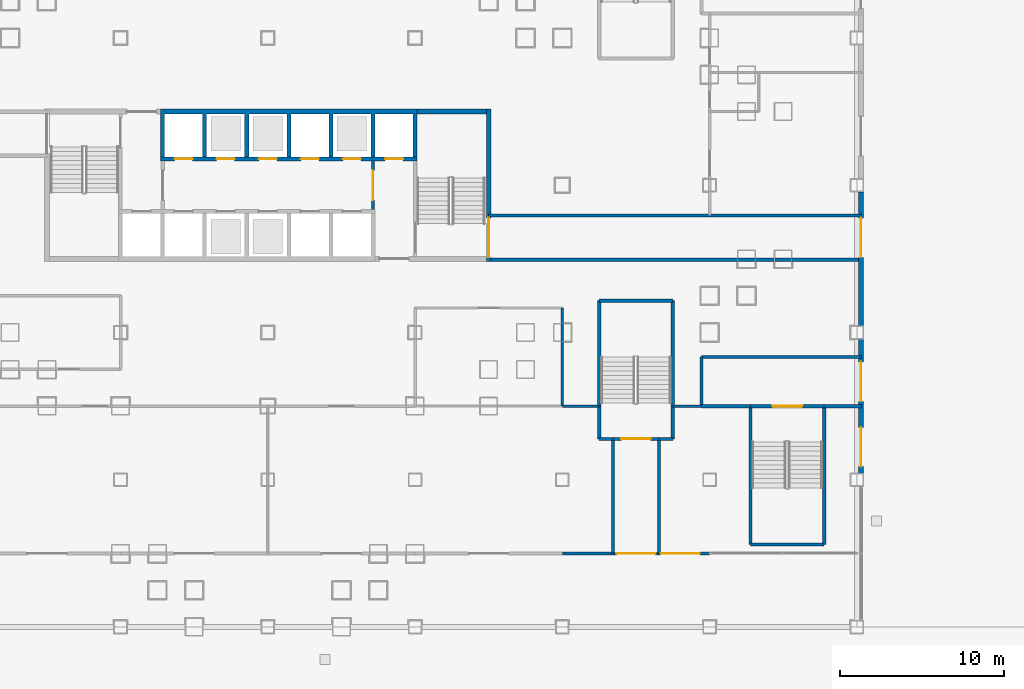
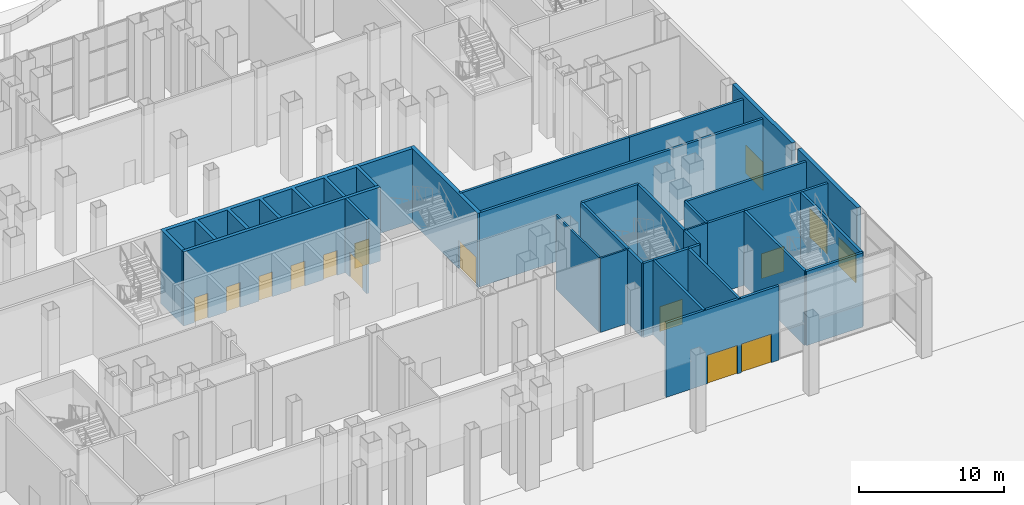
# One storey, part 15 of 38: 32 walls, 15 doors, 15 openings.
"""IFC4 building model written with IfcOpenShell, lengths in metres."""

from ifc_helpers import new_model, si_unit, direction, frame, frame_2d, origin, place, context, subcontext, project, spatial, polyline, rectangle, outline, extrude, material, layer, layer_set, type_object, element, fill, save


model = new_model("IFC4")

# Units and contexts
model_context = context("Model", 3, precision=1e-05, world=origin(), true_north=direction((0.0, 1.0)))
body_context = subcontext(model_context, "Body", "Model", "MODEL_VIEW")
ifc_project = project(units=[si_unit("LENGTHUNIT", "METRE"), si_unit("AREAUNIT", "SQUARE_METRE"), si_unit("VOLUMEUNIT", "CUBIC_METRE"), si_unit("PLANEANGLEUNIT", "RADIAN"), si_unit("MASSUNIT", "GRAM", prefix="KILO")], contexts=[model_context])

# Site, building, storey
site_placement = place(None, origin())
site = spatial("IfcSite", under=ifc_project, at=site_placement, CompositionType="ELEMENT")
building_placement = place(site_placement, origin())
building = spatial("IfcBuilding", under=site, at=building_placement, Name="Caravel Reach Hotel and Residences", CompositionType="ELEMENT")
storey_placement = place(building_placement, origin())
storey = spatial("IfcBuildingStorey", under=building, at=storey_placement, Name="L00", CompositionType="ELEMENT", Elevation=0.0)

# Walls
ifc_material_1 = material(Name="Autoclaved aerated block wall")
ifc_layer_1 = layer(ifc_material_1, 0.199951171875)
ifc_layer_set_1 = layer_set([ifc_layer_1], Name="Compartment wall 200 mm EI 120")
wall_type_1 = type_object("IfcWallType", Name="Compartment wall 200 mm EI 120", PredefinedType="PARTITIONING", material=ifc_layer_set_1)
wall_1_placement = place(storey_placement, frame((58.0, 13.5, 0.0), z_axis=(0.0, 0.0, 1.0), x_axis=(1.0, 0.0, 0.0)))
element("IfcWall", 1, at=wall_1_placement, inside=storey, type_object=wall_type_1, Name="L00 wall w046", PredefinedType="PARTITIONING", context=body_context, shape_type="SweptSolid", body=[
    extrude(rectangle(XDim=3.0, YDim=0.199951171875, at=frame_2d((1.5, 0.0))), origin(), (0.0, 0.0, 1.0), 6.25),
])
wall_2_placement = place(storey_placement, frame((65.5, 13.5, 0.0), z_axis=(0.0, 0.0, 1.0), x_axis=(1.0, 0.0, 0.0)))
element("IfcWall", 2, at=wall_2_placement, inside=storey, type_object=wall_type_1, Name="L00 wall w047", PredefinedType="PARTITIONING", context=body_context, shape_type="SweptSolid", body=[
    extrude(rectangle(XDim=2.2900390625, YDim=0.199951171875, at=frame_2d((1.14501953125, 0.0))), origin(), (0.0, 0.0, 1.0), 6.25),
])
wall_3_placement = place(storey_placement, frame((58.0, 16.5, 0.0), z_axis=(0.0, 0.0, 1.0), x_axis=(1.0, 0.0, 0.0)))
element("IfcWall", 3, at=wall_3_placement, inside=storey, type_object=wall_type_1, Name="L00 wall w048", PredefinedType="PARTITIONING", context=body_context, shape_type="SweptSolid", body=[
    extrude(rectangle(XDim=9.7900390625, YDim=0.199951171875, at=frame_2d((4.89501953125, 0.0))), origin(), (0.0, 0.0, 1.0), 6.25),
])
wall_4_placement = place(storey_placement, frame((45.0, 22.449951171875, 0.0), z_axis=(0.0, 0.0, 1.0), x_axis=(1.0, 0.0, 0.0)))
element("IfcWall", 4, at=wall_4_placement, inside=storey, type_object=wall_type_1, Name="L00 wall w049", PredefinedType="PARTITIONING", context=body_context, shape_type="SweptSolid", body=[
    extrude(rectangle(XDim=22.7900390625, YDim=0.199951171875, at=frame_2d((11.39501953125, 0.0))), origin(), (0.0, 0.0, 1.0), 6.25),
])
wall_5_placement = place(storey_placement, frame((45.0, 25.14990234375, 0.0), z_axis=(0.0, 0.0, 1.0), x_axis=(1.0, 0.0, 0.0)))
element("IfcWall", 5, at=wall_5_placement, inside=storey, type_object=wall_type_1, Name="L00 wall w050", PredefinedType="PARTITIONING", context=body_context, shape_type="SweptSolid", body=[
    extrude(rectangle(XDim=13.5, YDim=0.199951171875, at=frame_2d((6.75, 0.0))), origin(), (0.0, 0.0, 1.0), 6.25),
])
wall_6_placement = place(storey_placement, frame((58.5, 25.14990234375, 0.0), z_axis=(0.0, 0.0, 1.0), x_axis=(1.0, 0.0, 0.0)))
element("IfcWall", 6, at=wall_6_placement, inside=storey, type_object=wall_type_1, Name="L00 wall w051", PredefinedType="PARTITIONING", context=body_context, shape_type="SweptSolid", body=[
    extrude(rectangle(XDim=9.2900390625, YDim=0.199951171875, at=frame_2d((4.64501953125, 0.0))), origin(), (0.0, 0.0, 1.0), 6.25),
])
for number, where, z_axis, x_axis, name in (
    (7, (52.60009765625, 4.5, 0.0), (0.0, 0.0, 1.0), (0.0, 1.0, 0.0), "L00 wall w076"),
    (8, (55.39990234375, 4.5, 0.0), (0.0, 0.0, 1.0), (0.0, 1.0, 0.0), "L00 wall w079"),
):
    element("IfcWall", number, at=place(storey_placement, frame(where, z_axis=z_axis, x_axis=x_axis)), inside=storey, type_object=wall_type_1, Name=name, PredefinedType="PARTITIONING", context=body_context, shape_type="SweptSolid", body=[
        extrude(rectangle(XDim=7.0, YDim=0.199951171875, at=frame_2d((3.5, 0.0))), origin(), (0.0, 0.0, 1.0), 6.25),
    ])
wall_7_placement = place(storey_placement, frame((58.0, 13.5, 0.0), z_axis=(0.0, 0.0, 1.0), x_axis=(0.0, 1.0, 0.0)))
element("IfcWall", 9, at=wall_7_placement, inside=storey, type_object=wall_type_1, Name="L00 wall w081", PredefinedType="PARTITIONING", context=body_context, shape_type="SweptSolid", body=[
    extrude(rectangle(XDim=3.0, YDim=0.199951171875, at=frame_2d((1.5, 0.0))), origin(), (0.0, 0.0, 1.0), 6.25),
])
ifc_material_2 = material(Name="Concrete C60", Category="concrete")
ifc_layer_2 = layer(ifc_material_2, 0.300048828125)
ifc_layer_set_2 = layer_set([ifc_layer_2], Name="Core wall 300 mm EI 120")
wall_type_2 = type_object("IfcWallType", Name="Core wall 300 mm EI 120", PredefinedType="SHEAR", material=ifc_layer_set_2)
wall_8_placement = place(storey_placement, frame((40.625, 31.5, 0.0), z_axis=(0.0, 0.0, 1.0), x_axis=(1.0, 0.0, 0.0)))
element("IfcWall", 10, at=wall_8_placement, inside=storey, type_object=wall_type_2, Name="L00 core wall N2", PredefinedType="SHEAR", context=body_context, shape_type="SweptSolid", body=[
    extrude(rectangle(XDim=4.22509765625, YDim=0.300048828125, at=frame_2d((2.112548828125, 0.0))), origin(), (0.0, 0.0, 1.0), 6.25),
])

# Wall, opening, door
wall_9_placement = place(storey_placement, frame((45.0, 22.35009765625, 0.0), z_axis=(0.0, 0.0, 1.0), x_axis=(0.0, 1.0, 0.0)))
wall_9 = element("IfcWall", 11, at=wall_9_placement, inside=storey, type_object=wall_type_2, Name="L00 core wall E", PredefinedType="SHEAR", context=body_context, shape_type="SweptSolid", body=[
    extrude(rectangle(XDim=9.2998046875, YDim=0.300048828125, at=frame_2d((4.64990234375, 0.0))), origin(), (0.0, 0.0, 1.0), 6.25),
])
opening_1_placement = place(wall_9_placement, frame((0.25, 0.0, 0.0)))
opening_1 = element("IfcOpeningElement", 12, at=opening_1_placement, cuts=wall_9, Name="Opening D00-020", PredefinedType="OPENING", context=body_context, shape_type="SweptSolid", body=[
    extrude(rectangle(XDim=2.39990234375, YDim=2.39990234375, at=frame_2d((1.199951171875, 1.199951171875))), frame((0.0, 0.159912109375, 0.0), z_axis=(0.0, -1.0, 0.0), x_axis=(1.0, 0.0, 0.0)), (0.0, 0.0, 1.0), 0.320068359375),
])
ifc_material_3 = material(Name="Steel fire door leaf", Category="steel")
door_type_1 = type_object("IfcDoorType", Name="Exit door pair 2400 x 2400 EI 90", OperationType="DOUBLE_DOOR_SINGLE_SWING", PredefinedType="DOOR", material=ifc_material_3)
door_1_placement = place(opening_1_placement, origin())
door_1 = element("IfcDoor", 13, at=door_1_placement, inside=storey, type_object=door_type_1, Name="stair exit door E", OperationType="DOUBLE_DOOR_SINGLE_SWING", OverallHeight=2.39990234375, OverallWidth=2.39990234375, PredefinedType="DOOR", context=body_context, shape_type="SweptSolid", body=[
    extrude(rectangle(XDim=2.39990234375, YDim=2.39990234375, at=frame_2d((1.199951171875, 1.199951171875))), frame((0.0, 0.02490234375, 0.0), z_axis=(0.0, -1.0, 0.0), x_axis=(1.0, 0.0, 0.0)), (0.0, 0.0, 1.0), 0.050048828125),
])
fill(opening_1, door_1)

# Walls
ifc_material_4 = material(Name="Gypsum board on steel stud, fire-rated", Category="steel")
ifc_layer_3 = layer(ifc_material_4, 0.14990234375)
ifc_layer_set_3 = layer_set([ifc_layer_3], Name="Corridor wall 150 mm EI 60")
wall_type_3 = type_object("IfcWallType", Name="Corridor wall 150 mm EI 60", PredefinedType="PARTITIONING", material=ifc_layer_set_3)
wall_10_placement = place(storey_placement, frame((49.5, 13.5, 0.0), z_axis=(0.0, 0.0, 1.0), x_axis=(1.0, 0.0, 0.0)))
element("IfcWall", 14, at=wall_10_placement, inside=storey, type_object=wall_type_3, Name="L00 wall w003", PredefinedType="PARTITIONING", context=body_context, shape_type="SweptSolid", body=[
    extrude(rectangle(XDim=2.25, YDim=0.14990234375, at=frame_2d((1.125, 0.0))), origin(), (0.0, 0.0, 1.0), 6.25),
])
wall_11_placement = place(storey_placement, frame((56.25, 13.5, 0.0), z_axis=(0.0, 0.0, 1.0), x_axis=(1.0, 0.0, 0.0)))
element("IfcWall", 15, at=wall_11_placement, inside=storey, type_object=wall_type_3, Name="L00 wall w004", PredefinedType="PARTITIONING", context=body_context, shape_type="SweptSolid", body=[
    extrude(rectangle(XDim=1.75, YDim=0.14990234375, at=frame_2d((0.875, 0.0))), origin(), (0.0, 0.0, 1.0), 6.25),
])
wall_12_placement = place(storey_placement, frame((49.5, 13.5, 0.0), z_axis=(0.0, 0.0, 1.0), x_axis=(0.0, 1.0, 0.0)))
element("IfcWall", 16, at=wall_12_placement, inside=storey, type_object=wall_type_3, Name="L00 wall w026", PredefinedType="PARTITIONING", context=body_context, shape_type="SweptSolid", body=[
    extrude(rectangle(XDim=6.0, YDim=0.14990234375, at=frame_2d((3.0, 0.0))), origin(), (0.0, 0.0, 1.0), 6.25),
])

# Wall, openings, doors
ifc_material_5 = material(Name="Insulated wall, stone cladding", Category="masonry")
ifc_layer_4 = layer(ifc_material_5, 0.300048828125)
ifc_layer_set_4 = layer_set([ifc_layer_4], Name="EW2 Podium stone-clad wall")
wall_type_4 = type_object("IfcWallType", Name="EW2 Podium stone-clad wall", PredefinedType="SOLIDWALL", material=ifc_layer_set_4)
wall_13_placement = place(storey_placement, frame((67.75, 17.60009765625, 0.0), z_axis=(0.0, 0.0, 1.0), x_axis=(0.0, -1.0, 0.0)))
wall_13 = element("IfcWall", 17, at=wall_13_placement, inside=storey, type_object=wall_type_4, Name="External wall L00 E1.2", PredefinedType="SOLIDWALL", context=body_context, shape_type="SweptSolid", body=[
    extrude(rectangle(XDim=8.2001953125, YDim=0.300048828125, at=frame_2d((4.10009765625, 0.0))), origin(), (0.0, 0.0, 1.0), 6.60009765625),
])
opening_2_placement = place(wall_13_placement, frame((5.39990234375, 0.0, 0.0)))
opening_2 = element("IfcOpeningElement", 18, at=opening_2_placement, cuts=wall_13, Name="Opening D00-815", PredefinedType="OPENING", context=body_context, shape_type="SweptSolid", body=[
    extrude(rectangle(XDim=2.39990234375, YDim=2.39990234375, at=frame_2d((1.199951171875, 1.199951171875))), frame((0.0, 0.159912109375, 0.0), z_axis=(0.0, -1.0, 0.0), x_axis=(1.0, 0.0, 0.0)), (0.0, 0.0, 1.0), 0.320068359375),
])
opening_3_placement = place(wall_13_placement, frame((1.39990234375, 0.0, 0.0)))
opening_3 = element("IfcOpeningElement", 19, at=opening_3_placement, cuts=wall_13, Name="Opening D00-816", PredefinedType="OPENING", context=body_context, shape_type="SweptSolid", body=[
    extrude(rectangle(XDim=2.39990234375, YDim=2.39990234375, at=frame_2d((1.199951171875, 1.199951171875))), frame((0.0, 0.159912109375, 0.0), z_axis=(0.0, -1.0, 0.0), x_axis=(1.0, 0.0, 0.0)), (0.0, 0.0, 1.0), 0.320068359375),
])
ifc_material_6 = material(Name="Dark glazed door in black aluminium frame", Category="aluminium")
door_type_2 = type_object("IfcDoorType", Name="Entrance door 2400 x 2400", OperationType="DOUBLE_DOOR_SINGLE_SWING", PredefinedType="DOOR", material=ifc_material_6)
door_2_placement = place(opening_2_placement, origin())
door_2 = element("IfcDoor", 20, at=door_2_placement, inside=storey, type_object=door_type_2, Name="Door D00-815", OperationType="DOUBLE_DOOR_SINGLE_SWING", OverallHeight=2.39990234375, OverallWidth=2.39990234375, PredefinedType="DOOR", context=body_context, shape_type="SweptSolid", body=[
    extrude(rectangle(XDim=2.39990234375, YDim=2.39990234375, at=frame_2d((1.199951171875, 1.199951171875))), frame((0.0, 0.02490234375, 0.0), z_axis=(0.0, -1.0, 0.0), x_axis=(1.0, 0.0, 0.0)), (0.0, 0.0, 1.0), 0.050048828125),
])
fill(opening_2, door_2)
door_3_placement = place(opening_3_placement, origin())
door_3 = element("IfcDoor", 21, at=door_3_placement, inside=storey, type_object=door_type_2, Name="Door D00-816", OperationType="DOUBLE_DOOR_SINGLE_SWING", OverallHeight=2.39990234375, OverallWidth=2.39990234375, PredefinedType="DOOR", context=body_context, shape_type="SweptSolid", body=[
    extrude(rectangle(XDim=2.39990234375, YDim=2.39990234375, at=frame_2d((1.199951171875, 1.199951171875))), frame((0.0, 0.02490234375, 0.0), z_axis=(0.0, -1.0, 0.0), x_axis=(1.0, 0.0, 0.0)), (0.0, 0.0, 1.0), 0.050048828125),
])
fill(opening_3, door_3)

# Wall, opening, door
wall_14_placement = place(storey_placement, frame((67.75, 26.60009765625, 0.0), z_axis=(0.0, 0.0, 1.0), x_axis=(0.0, -1.0, 0.0)))
wall_14 = element("IfcWall", 22, at=wall_14_placement, inside=storey, type_object=wall_type_4, Name="External wall L00 E1.3", PredefinedType="SOLIDWALL", context=body_context, shape_type="SweptSolid", body=[
    extrude(rectangle(XDim=8.2001953125, YDim=0.300048828125, at=frame_2d((4.10009765625, 0.0))), origin(), (0.0, 0.0, 1.0), 6.60009765625),
])
opening_4_placement = place(wall_14_placement, frame((1.60009765625, 0.0, 0.0)))
opening_4 = element("IfcOpeningElement", 23, at=opening_4_placement, cuts=wall_14, Name="Opening D00-817", PredefinedType="OPENING", context=body_context, shape_type="SweptSolid", body=[
    extrude(rectangle(XDim=2.39990234375, YDim=2.39990234375, at=frame_2d((1.199951171875, 1.199951171875))), frame((0.0, 0.159912109375, 0.0), z_axis=(0.0, -1.0, 0.0), x_axis=(1.0, 0.0, 0.0)), (0.0, 0.0, 1.0), 0.320068359375),
])
door_4_placement = place(opening_4_placement, origin())
door_4 = element("IfcDoor", 24, at=door_4_placement, inside=storey, type_object=door_type_2, Name="Door D00-817", OperationType="DOUBLE_DOOR_SINGLE_SWING", OverallHeight=2.39990234375, OverallWidth=2.39990234375, PredefinedType="DOOR", context=body_context, shape_type="SweptSolid", body=[
    extrude(rectangle(XDim=2.39990234375, YDim=2.39990234375, at=frame_2d((1.199951171875, 1.199951171875))), frame((0.0, 0.02490234375, 0.0), z_axis=(0.0, -1.0, 0.0), x_axis=(1.0, 0.0, 0.0)), (0.0, 0.0, 1.0), 0.050048828125),
])
fill(opening_4, door_4)

# Wall, openings, doors
ifc_material_7 = material(Name="Insulated wall, stone cladding", Category="masonry")
ifc_layer_5 = layer(ifc_material_7, 0.199951171875)
ifc_layer_set_5 = layer_set([ifc_layer_5], Name="EW3 Entrance wall 200")
wall_type_5 = type_object("IfcWallType", Name="EW3 Entrance wall 200", PredefinedType="SOLIDWALL", material=ifc_layer_set_5)
wall_15_placement = place(storey_placement, frame((58.5, 4.5, 0.0), z_axis=(0.0, 0.0, 1.0), x_axis=(-1.0, 0.0, 0.0)))
wall_15 = element("IfcWall", 25, at=wall_15_placement, inside=storey, type_object=wall_type_5, Name="Lobby wall 7", PredefinedType="SOLIDWALL", context=body_context, shape_type="SweptSolid", body=[
    extrude(rectangle(XDim=9.0, YDim=0.199951171875, at=frame_2d((4.5, 0.0))), origin(), (0.0, 0.0, 1.0), 6.25),
])
opening_5_placement = place(wall_15_placement, frame((3.300048828125, 0.0, 0.0)))
opening_5 = element("IfcOpeningElement", 26, at=opening_5_placement, cuts=wall_15, Name="Opening D00-836", PredefinedType="OPENING", context=body_context, shape_type="SweptSolid", body=[
    extrude(rectangle(XDim=2.39990234375, YDim=2.39990234375, at=frame_2d((1.199951171875, 1.199951171875))), frame((0.0, 0.10986328125, 0.0), z_axis=(0.0, -1.0, 0.0), x_axis=(1.0, 0.0, 0.0)), (0.0, 0.0, 1.0), 0.219970703125),
])
opening_6_placement = place(wall_15_placement, frame((0.60009765625, 0.0, 0.0)))
opening_6 = element("IfcOpeningElement", 27, at=opening_6_placement, cuts=wall_15, Name="Opening D00-837", PredefinedType="OPENING", context=body_context, shape_type="SweptSolid", body=[
    extrude(rectangle(XDim=2.39990234375, YDim=2.39990234375, at=frame_2d((1.199951171875, 1.199951171875))), frame((0.0, 0.10986328125, 0.0), z_axis=(0.0, -1.0, 0.0), x_axis=(1.0, 0.0, 0.0)), (0.0, 0.0, 1.0), 0.219970703125),
])
door_5_placement = place(opening_5_placement, origin())
door_5 = element("IfcDoor", 28, at=door_5_placement, inside=storey, type_object=door_type_2, Name="Door D00-836", OperationType="DOUBLE_DOOR_SINGLE_SWING", OverallHeight=2.39990234375, OverallWidth=2.39990234375, PredefinedType="DOOR", context=body_context, shape_type="SweptSolid", body=[
    extrude(rectangle(XDim=2.39990234375, YDim=2.39990234375, at=frame_2d((1.199951171875, 1.199951171875))), frame((0.0, 0.02490234375, 0.0), z_axis=(0.0, -1.0, 0.0), x_axis=(1.0, 0.0, 0.0)), (0.0, 0.0, 1.0), 0.050048828125),
])
fill(opening_5, door_5)
door_6_placement = place(opening_6_placement, origin())
door_6 = element("IfcDoor", 29, at=door_6_placement, inside=storey, type_object=door_type_2, Name="Door D00-837", OperationType="DOUBLE_DOOR_SINGLE_SWING", OverallHeight=2.39990234375, OverallWidth=2.39990234375, PredefinedType="DOOR", context=body_context, shape_type="SweptSolid", body=[
    extrude(rectangle(XDim=2.39990234375, YDim=2.39990234375, at=frame_2d((1.199951171875, 1.199951171875))), frame((0.0, 0.02490234375, 0.0), z_axis=(0.0, -1.0, 0.0), x_axis=(1.0, 0.0, 0.0)), (0.0, 0.0, 1.0), 0.050048828125),
])
fill(opening_6, door_6)

# Wall, opening, door
ifc_material_8 = material(Name="Autoclaved aerated block wall")
ifc_layer_6 = layer(ifc_material_8, 0.199951171875)
ifc_layer_set_6 = layer_set([ifc_layer_6], Name="Fire lobby wall 200 mm EI 120")
wall_type_6 = type_object("IfcWallType", Name="Fire lobby wall 200 mm EI 120", PredefinedType="PARTITIONING", material=ifc_layer_set_6)
wall_16_placement = place(storey_placement, frame((37.928466796875, 25.52490234375, 0.0), z_axis=(0.0, 0.0, 1.0), x_axis=(0.0, 1.0, 0.0)))
wall_16 = element("IfcWall", 30, at=wall_16_placement, inside=storey, type_object=wall_type_6, Name="L00 lobby E wall", PredefinedType="PARTITIONING", context=body_context, shape_type="SweptSolid", body=[
    extrude(rectangle(XDim=2.9501953125, YDim=0.199951171875, at=frame_2d((1.47509765625, 0.0))), origin(), (0.0, 0.0, 1.0), 6.25),
])
opening_7_placement = place(wall_16_placement, frame((0.574951171875, 0.0, 0.0)))
opening_7 = element("IfcOpeningElement", 31, at=opening_7_placement, cuts=wall_16, Name="Opening D00-016", PredefinedType="OPENING", context=body_context, shape_type="SweptSolid", body=[
    extrude(rectangle(XDim=1.800048828125, YDim=2.10009765625, at=frame_2d((0.89990234375, 1.050048828125))), frame((0.0, 0.10986328125, 0.0), z_axis=(0.0, -1.0, 0.0), x_axis=(1.0, 0.0, 0.0)), (0.0, 0.0, 1.0), 0.219970703125),
])
ifc_material_9 = material(Name="Steel fire door leaf", Category="steel")
door_type_3 = type_object("IfcDoorType", Name="Fire lobby door pair 1800 x 2100 EI 90", OperationType="DOUBLE_DOOR_SINGLE_SWING", PredefinedType="DOOR", material=ifc_material_9)
door_7_placement = place(opening_7_placement, origin())
door_7 = element("IfcDoor", 32, at=door_7_placement, inside=storey, type_object=door_type_3, Name="lobby E door pair", OperationType="DOUBLE_DOOR_SINGLE_SWING", OverallHeight=2.10009765625, OverallWidth=1.800048828125, PredefinedType="DOOR", context=body_context, shape_type="SweptSolid", body=[
    extrude(rectangle(XDim=1.800048828125, YDim=2.10009765625, at=frame_2d((0.89990234375, 1.050048828125))), frame((0.0, 0.02490234375, 0.0), z_axis=(0.0, -1.0, 0.0), x_axis=(1.0, 0.0, 0.0)), (0.0, 0.0, 1.0), 0.050048828125),
])
fill(opening_7, door_7)

# Wall
ifc_material_10 = material(Name="Concrete C60", Category="concrete")
ifc_layer_7 = layer(ifc_material_10, 0.25)
ifc_layer_set_7 = layer_set([ifc_layer_7], Name="Shaft wall 250 mm EI 120")
wall_type_7 = type_object("IfcWallType", Name="Shaft wall 250 mm EI 120", PredefinedType="SHEAR", material=ifc_layer_set_7)
wall_17_placement = place(storey_placement, origin())
element("IfcWall", 33, at=wall_17_placement, inside=storey, type_object=wall_type_7, Name="L00 lift shaft wall N1", PredefinedType="SHEAR", context=body_context, shape_type="SweptSolid", body=[
    extrude(outline(polyline([(24.946533203125, 28.72509765625), (25.196533203125, 28.72509765625), (25.196533203125, 31.35009765625), (27.517822265625, 31.35009765625), (27.517822265625, 28.72509765625), (27.767822265625, 28.72509765625), (27.767822265625, 31.35009765625), (30.08935546875, 31.35009765625), (30.08935546875, 28.72509765625), (30.33935546875, 28.72509765625), (30.33935546875, 31.35009765625), (32.66064453125, 31.35009765625), (32.66064453125, 28.72509765625), (32.91064453125, 28.72509765625), (32.91064453125, 31.35009765625), (35.232177734375, 31.35009765625), (35.232177734375, 28.72509765625), (35.482177734375, 28.72509765625), (35.482177734375, 31.35009765625), (37.803466796875, 31.35009765625), (37.803466796875, 28.72509765625), (38.053466796875, 28.72509765625), (38.053466796875, 31.35009765625), (40.375, 31.35009765625), (40.375, 28.72509765625), (40.625, 28.72509765625), (40.625, 31.64990234375), (24.946533203125, 31.64990234375), (24.946533203125, 28.72509765625)])), origin(), (0.0, 0.0, 1.0), 6.25),
])

# Wall, openings, doors
wall_18_placement = place(storey_placement, frame((24.946533203125, 28.60009765625, 0.0), z_axis=(0.0, 0.0, 1.0), x_axis=(1.0, 0.0, 0.0)))
wall_18 = element("IfcWall", 34, at=wall_18_placement, inside=storey, type_object=wall_type_7, Name="L00 lobby wall N1", PredefinedType="SHEAR", context=body_context, shape_type="SweptSolid", body=[
    extrude(rectangle(XDim=15.678466796875, YDim=0.25, at=frame_2d((7.83935546875, 0.0))), origin(), (0.0, 0.0, 1.0), 6.25),
])
opening_8_placement = place(wall_18_placement, frame((0.860595703125, 0.0, 0.0)))
opening_8 = element("IfcOpeningElement", 35, at=opening_8_placement, cuts=wall_18, Name="Opening D00-004", PredefinedType="OPENING", context=body_context, shape_type="SweptSolid", body=[
    extrude(rectangle(XDim=1.10009765625, YDim=2.10009765625, at=frame_2d((0.550048828125, 1.050048828125))), frame((0.0, 0.135009765625, 0.0), z_axis=(0.0, -1.0, 0.0), x_axis=(1.0, 0.0, 0.0)), (0.0, 0.0, 1.0), 0.27001953125),
])
opening_9_placement = place(wall_18_placement, frame((8.574951171875, 0.0, 0.0)))
opening_9 = element("IfcOpeningElement", 36, at=opening_9_placement, cuts=wall_18, Name="Opening D00-005", PredefinedType="OPENING", context=body_context, shape_type="SweptSolid", body=[
    extrude(rectangle(XDim=1.10009765625, YDim=2.10009765625, at=frame_2d((0.550048828125, 1.050048828125))), frame((0.0, 0.135009765625, 0.0), z_axis=(0.0, -1.0, 0.0), x_axis=(1.0, 0.0, 0.0)), (0.0, 0.0, 1.0), 0.27001953125),
])
opening_10_placement = place(wall_18_placement, frame((6.003662109375, 0.0, 0.0)))
opening_10 = element("IfcOpeningElement", 37, at=opening_10_placement, cuts=wall_18, Name="Opening D00-007", PredefinedType="OPENING", context=body_context, shape_type="SweptSolid", body=[
    extrude(rectangle(XDim=1.10009765625, YDim=2.10009765625, at=frame_2d((0.550048828125, 1.050048828125))), frame((0.0, 0.135009765625, 0.0), z_axis=(0.0, -1.0, 0.0), x_axis=(1.0, 0.0, 0.0)), (0.0, 0.0, 1.0), 0.27001953125),
])
opening_11_placement = place(wall_18_placement, frame((11.146484375, 0.0, 0.0)))
opening_11 = element("IfcOpeningElement", 38, at=opening_11_placement, cuts=wall_18, Name="Opening D00-008", PredefinedType="OPENING", context=body_context, shape_type="SweptSolid", body=[
    extrude(rectangle(XDim=1.10009765625, YDim=2.10009765625, at=frame_2d((0.550048828125, 1.050048828125))), frame((0.0, 0.135009765625, 0.0), z_axis=(0.0, -1.0, 0.0), x_axis=(1.0, 0.0, 0.0)), (0.0, 0.0, 1.0), 0.27001953125),
])
opening_12_placement = place(wall_18_placement, frame((3.43212890625, 0.0, 0.0)))
opening_12 = element("IfcOpeningElement", 39, at=opening_12_placement, cuts=wall_18, Name="Opening D00-010", PredefinedType="OPENING", context=body_context, shape_type="SweptSolid", body=[
    extrude(rectangle(XDim=1.10009765625, YDim=2.10009765625, at=frame_2d((0.550048828125, 1.050048828125))), frame((0.0, 0.135009765625, 0.0), z_axis=(0.0, -1.0, 0.0), x_axis=(1.0, 0.0, 0.0)), (0.0, 0.0, 1.0), 0.27001953125),
])
opening_13_placement = place(wall_18_placement, frame((13.718017578125, 0.0, 0.0)))
opening_13 = element("IfcOpeningElement", 40, at=opening_13_placement, cuts=wall_18, Name="Opening D00-012", PredefinedType="OPENING", context=body_context, shape_type="SweptSolid", body=[
    extrude(rectangle(XDim=1.10009765625, YDim=2.10009765625, at=frame_2d((0.550048828125, 1.050048828125))), frame((0.0, 0.135009765625, 0.0), z_axis=(0.0, -1.0, 0.0), x_axis=(1.0, 0.0, 0.0)), (0.0, 0.0, 1.0), 0.27001953125),
])
ifc_material_11 = material(Name="Stainless steel landing door", Category="steel")
door_type_4 = type_object("IfcDoorType", Name="Landing door LD 1100 x 2100 sliding", OperationType="DOUBLE_DOOR_SLIDING", PredefinedType="DOOR", material=ifc_material_11)
door_8_placement = place(opening_8_placement, origin())
door_8 = element("IfcDoor", 41, at=door_8_placement, inside=storey, type_object=door_type_4, Name="LP4 landing door", OperationType="DOUBLE_DOOR_SLIDING", OverallHeight=2.10009765625, OverallWidth=1.10009765625, PredefinedType="DOOR", context=body_context, shape_type="SweptSolid", body=[
    extrude(rectangle(XDim=1.10009765625, YDim=2.10009765625, at=frame_2d((0.550048828125, 1.050048828125))), frame((0.0, 0.02490234375, 0.0), z_axis=(0.0, -1.0, 0.0), x_axis=(1.0, 0.0, 0.0)), (0.0, 0.0, 1.0), 0.050048828125),
])
fill(opening_8, door_8)
door_9_placement = place(opening_9_placement, origin())
door_9 = element("IfcDoor", 42, at=door_9_placement, inside=storey, type_object=door_type_4, Name="LP5 landing door", OperationType="DOUBLE_DOOR_SLIDING", OverallHeight=2.10009765625, OverallWidth=1.10009765625, PredefinedType="DOOR", context=body_context, shape_type="SweptSolid", body=[
    extrude(rectangle(XDim=1.10009765625, YDim=2.10009765625, at=frame_2d((0.550048828125, 1.050048828125))), frame((0.0, 0.02490234375, 0.0), z_axis=(0.0, -1.0, 0.0), x_axis=(1.0, 0.0, 0.0)), (0.0, 0.0, 1.0), 0.050048828125),
])
fill(opening_9, door_9)
door_10_placement = place(opening_10_placement, origin())
door_10 = element("IfcDoor", 43, at=door_10_placement, inside=storey, type_object=door_type_4, Name="MP2 landing door", OperationType="DOUBLE_DOOR_SLIDING", OverallHeight=2.10009765625, OverallWidth=1.10009765625, PredefinedType="DOOR", context=body_context, shape_type="SweptSolid", body=[
    extrude(rectangle(XDim=1.10009765625, YDim=2.10009765625, at=frame_2d((0.550048828125, 1.050048828125))), frame((0.0, 0.02490234375, 0.0), z_axis=(0.0, -1.0, 0.0), x_axis=(1.0, 0.0, 0.0)), (0.0, 0.0, 1.0), 0.050048828125),
])
fill(opening_10, door_10)
door_11_placement = place(opening_11_placement, origin())
door_11 = element("IfcDoor", 44, at=door_11_placement, inside=storey, type_object=door_type_4, Name="MP3 landing door", OperationType="DOUBLE_DOOR_SLIDING", OverallHeight=2.10009765625, OverallWidth=1.10009765625, PredefinedType="DOOR", context=body_context, shape_type="SweptSolid", body=[
    extrude(rectangle(XDim=1.10009765625, YDim=2.10009765625, at=frame_2d((0.550048828125, 1.050048828125))), frame((0.0, 0.02490234375, 0.0), z_axis=(0.0, -1.0, 0.0), x_axis=(1.0, 0.0, 0.0)), (0.0, 0.0, 1.0), 0.050048828125),
])
fill(opening_11, door_11)
door_12_placement = place(opening_12_placement, origin())
door_12 = element("IfcDoor", 45, at=door_12_placement, inside=storey, type_object=door_type_4, Name="HP2 landing door", OperationType="DOUBLE_DOOR_SLIDING", OverallHeight=2.10009765625, OverallWidth=1.10009765625, PredefinedType="DOOR", context=body_context, shape_type="SweptSolid", body=[
    extrude(rectangle(XDim=1.10009765625, YDim=2.10009765625, at=frame_2d((0.550048828125, 1.050048828125))), frame((0.0, 0.02490234375, 0.0), z_axis=(0.0, -1.0, 0.0), x_axis=(1.0, 0.0, 0.0)), (0.0, 0.0, 1.0), 0.050048828125),
])
fill(opening_12, door_12)
door_13_placement = place(opening_13_placement, origin())
door_13 = element("IfcDoor", 46, at=door_13_placement, inside=storey, type_object=door_type_4, Name="FL2 landing door", OperationType="DOUBLE_DOOR_SLIDING", OverallHeight=2.10009765625, OverallWidth=1.10009765625, PredefinedType="DOOR", context=body_context, shape_type="SweptSolid", body=[
    extrude(rectangle(XDim=1.10009765625, YDim=2.10009765625, at=frame_2d((0.550048828125, 1.050048828125))), frame((0.0, 0.02490234375, 0.0), z_axis=(0.0, -1.0, 0.0), x_axis=(1.0, 0.0, 0.0)), (0.0, 0.0, 1.0), 0.050048828125),
])
fill(opening_13, door_13)

# Wall, opening, door
ifc_material_12 = material(Name="Concrete C60", Category="concrete")
ifc_layer_8 = layer(ifc_material_12, 0.199951171875)
ifc_layer_set_8 = layer_set([ifc_layer_8], Name="Stair enclosure wall 200 mm EI 120")
wall_type_8 = type_object("IfcWallType", Name="Stair enclosure wall 200 mm EI 120", PredefinedType="SHEAR", material=ifc_layer_set_8)
wall_19_placement = place(storey_placement, frame((52.60009765625, 11.5, 0.0), z_axis=(0.0, 0.0, 1.0), x_axis=(1.0, 0.0, 0.0)))
wall_19 = element("IfcWall", 47, at=wall_19_placement, inside=storey, type_object=wall_type_8, Name="L00 wall w088", PredefinedType="SHEAR", context=body_context, shape_type="SweptSolid", body=[
    extrude(rectangle(XDim=2.7998046875, YDim=0.199951171875, at=frame_2d((1.39990234375, 0.0))), origin(), (0.0, 0.0, 1.0), 6.25),
])
opening_14_placement = place(wall_19_placement, frame((0.5, 0.0, 0.0)))
opening_14 = element("IfcOpeningElement", 48, at=opening_14_placement, cuts=wall_19, Name="Opening D00-024", PredefinedType="OPENING", context=body_context, shape_type="SweptSolid", body=[
    extrude(rectangle(XDim=1.800048828125, YDim=2.10009765625, at=frame_2d((0.89990234375, 1.050048828125))), frame((0.0, 0.10986328125, 0.0), z_axis=(0.0, -1.0, 0.0), x_axis=(1.0, 0.0, 0.0)), (0.0, 0.0, 1.0), 0.219970703125),
])
ifc_material_13 = material(Name="Steel fire door leaf", Category="steel")
door_type_5 = type_object("IfcDoorType", Name="Stair door pair 1800 x 2100 EI 90", OperationType="DOUBLE_DOOR_SINGLE_SWING", PredefinedType="DOOR", material=ifc_material_13)
door_14_placement = place(opening_14_placement, origin())
door_14 = element("IfcDoor", 49, at=door_14_placement, inside=storey, type_object=door_type_5, Name="door D00-024", OperationType="DOUBLE_DOOR_SINGLE_SWING", OverallHeight=2.10009765625, OverallWidth=1.800048828125, PredefinedType="DOOR", context=body_context, shape_type="SweptSolid", body=[
    extrude(rectangle(XDim=1.800048828125, YDim=2.10009765625, at=frame_2d((0.89990234375, 1.050048828125))), frame((0.0, 0.02490234375, 0.0), z_axis=(0.0, -1.0, 0.0), x_axis=(1.0, 0.0, 0.0)), (0.0, 0.0, 1.0), 0.050048828125),
])
fill(opening_14, door_14)

# Walls
for number, where, z_axis, x_axis, name in (
    (50, (51.75, 11.5, 0.0), (0.0, 0.0, 1.0), (1.0, 0.0, 0.0), "L00 wall w089"),
    (51, (55.39990234375, 11.5, 0.0), (0.0, 0.0, 1.0), (1.0, 0.0, 0.0), "L00 wall w090"),
):
    element("IfcWall", number, at=place(storey_placement, frame(where, z_axis=z_axis, x_axis=x_axis)), inside=storey, type_object=wall_type_8, Name=name, PredefinedType="SHEAR", context=body_context, shape_type="SweptSolid", body=[
        extrude(rectangle(XDim=0.85009765625, YDim=0.199951171875, at=frame_2d((0.425048828125, 0.0))), origin(), (0.0, 0.0, 1.0), 6.25),
    ])

# Wall, opening, door
wall_20_placement = place(storey_placement, frame((61.0, 13.5, 0.0), z_axis=(0.0, 0.0, 1.0), x_axis=(1.0, 0.0, 0.0)))
wall_20 = element("IfcWall", 52, at=wall_20_placement, inside=storey, type_object=wall_type_8, Name="L00 wall w091", PredefinedType="SHEAR", context=body_context, shape_type="SweptSolid", body=[
    extrude(rectangle(XDim=4.5, YDim=0.199951171875, at=frame_2d((2.25, 0.0))), origin(), (0.0, 0.0, 1.0), 6.25),
])
opening_15_placement = place(wall_20_placement, frame((1.35009765625, 0.0, 0.0)))
opening_15 = element("IfcOpeningElement", 53, at=opening_15_placement, cuts=wall_20, Name="Opening D00-027", PredefinedType="OPENING", context=body_context, shape_type="SweptSolid", body=[
    extrude(rectangle(XDim=1.800048828125, YDim=2.10009765625, at=frame_2d((0.89990234375, 1.050048828125))), frame((0.0, 0.10986328125, 0.0), z_axis=(0.0, -1.0, 0.0), x_axis=(1.0, 0.0, 0.0)), (0.0, 0.0, 1.0), 0.219970703125),
])
door_15_placement = place(opening_15_placement, origin())
door_15 = element("IfcDoor", 54, at=door_15_placement, inside=storey, type_object=door_type_5, Name="door D00-027", OperationType="DOUBLE_DOOR_SINGLE_SWING", OverallHeight=2.10009765625, OverallWidth=1.800048828125, PredefinedType="DOOR", context=body_context, shape_type="SweptSolid", body=[
    extrude(rectangle(XDim=1.800048828125, YDim=2.10009765625, at=frame_2d((0.89990234375, 1.050048828125))), frame((0.0, 0.02490234375, 0.0), z_axis=(0.0, -1.0, 0.0), x_axis=(1.0, 0.0, 0.0)), (0.0, 0.0, 1.0), 0.050048828125),
])
fill(opening_15, door_15)

# Walls
for number, where, z_axis, x_axis, name in (
    (55, (51.75, 19.949951171875, 0.0), (0.0, 0.0, 1.0), (1.0, 0.0, 0.0), "L00 wall w093"),
    (56, (61.0, 5.050048828125, 0.0), (0.0, 0.0, 1.0), (1.0, 0.0, 0.0), "L00 wall w106"),
):
    element("IfcWall", number, at=place(storey_placement, frame(where, z_axis=z_axis, x_axis=x_axis)), inside=storey, type_object=wall_type_8, Name=name, PredefinedType="SHEAR", context=body_context, shape_type="SweptSolid", body=[
        extrude(rectangle(XDim=4.5, YDim=0.199951171875, at=frame_2d((2.25, 0.0))), origin(), (0.0, 0.0, 1.0), 6.25),
    ])
wall_21_placement = place(storey_placement, frame((51.75, 13.5, 0.0), z_axis=(0.0, 0.0, 1.0), x_axis=(0.0, 1.0, 0.0)))
element("IfcWall", 57, at=wall_21_placement, inside=storey, type_object=wall_type_8, Name="L00 wall w113", PredefinedType="SHEAR", context=body_context, shape_type="SweptSolid", body=[
    extrude(rectangle(XDim=6.449951171875, YDim=0.199951171875, at=frame_2d((3.22509765625, 0.0))), origin(), (0.0, 0.0, 1.0), 6.25),
])
wall_22_placement = place(storey_placement, frame((51.75, 11.5, 0.0), z_axis=(0.0, 0.0, 1.0), x_axis=(0.0, 1.0, 0.0)))
element("IfcWall", 58, at=wall_22_placement, inside=storey, type_object=wall_type_8, Name="L00 wall w114", PredefinedType="SHEAR", context=body_context, shape_type="SweptSolid", body=[
    extrude(rectangle(XDim=2.0, YDim=0.199951171875, at=frame_2d((1.0, 0.0))), origin(), (0.0, 0.0, 1.0), 6.25),
])
wall_23_placement = place(storey_placement, frame((56.25, 13.5, 0.0), z_axis=(0.0, 0.0, 1.0), x_axis=(0.0, 1.0, 0.0)))
element("IfcWall", 59, at=wall_23_placement, inside=storey, type_object=wall_type_8, Name="L00 wall w116", PredefinedType="SHEAR", context=body_context, shape_type="SweptSolid", body=[
    extrude(rectangle(XDim=6.449951171875, YDim=0.199951171875, at=frame_2d((3.22509765625, 0.0))), origin(), (0.0, 0.0, 1.0), 6.25),
])
wall_24_placement = place(storey_placement, frame((56.25, 11.5, 0.0), z_axis=(0.0, 0.0, 1.0), x_axis=(0.0, 1.0, 0.0)))
element("IfcWall", 60, at=wall_24_placement, inside=storey, type_object=wall_type_8, Name="L00 wall w117", PredefinedType="SHEAR", context=body_context, shape_type="SweptSolid", body=[
    extrude(rectangle(XDim=2.0, YDim=0.199951171875, at=frame_2d((1.0, 0.0))), origin(), (0.0, 0.0, 1.0), 6.25),
])
for number, where, z_axis, x_axis, name in (
    (61, (61.0, 5.050048828125, 0.0), (0.0, 0.0, 1.0), (0.0, 1.0, 0.0), "L00 wall w121"),
    (62, (65.5, 5.050048828125, 0.0), (0.0, 0.0, 1.0), (0.0, 1.0, 0.0), "L00 wall w123"),
):
    element("IfcWall", number, at=place(storey_placement, frame(where, z_axis=z_axis, x_axis=x_axis)), inside=storey, type_object=wall_type_8, Name=name, PredefinedType="SHEAR", context=body_context, shape_type="SweptSolid", body=[
        extrude(rectangle(XDim=8.449951171875, YDim=0.199951171875, at=frame_2d((4.22509765625, 0.0))), origin(), (0.0, 0.0, 1.0), 6.25),
    ])

save(model, "model.ifc")
